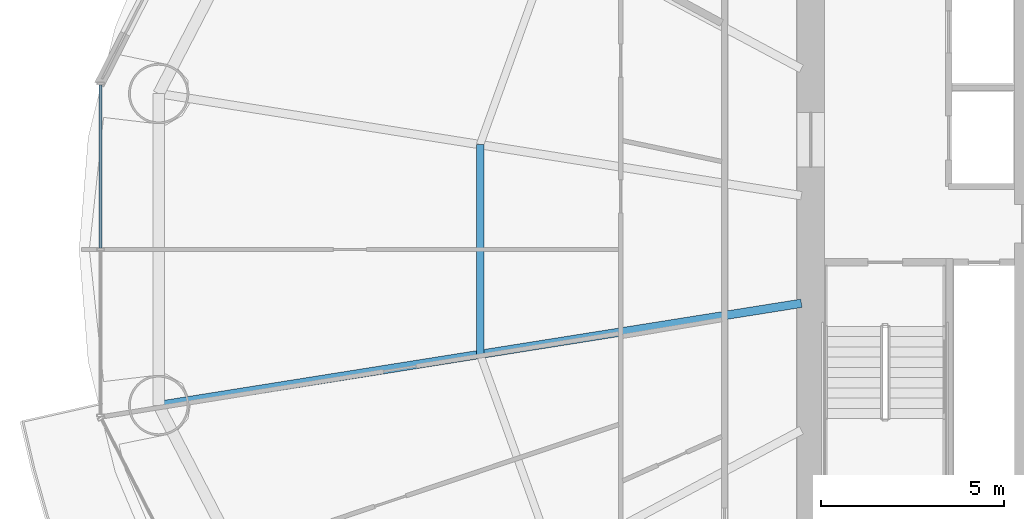
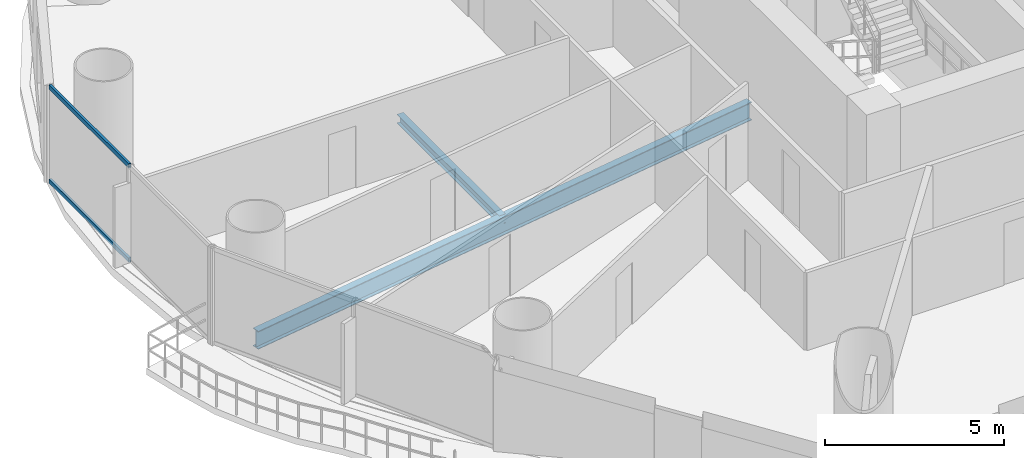
# One storey, part 7 of 29: 2 beams, 2 members, 1 element without a shape of its own.
"""IFC4 building model written with IfcOpenShell, lengths in metres."""

from ifc_helpers import new_model, si_unit, direction, frame, origin, origin_2d, place, context, subcontext, project, spatial, hollow_rectangle, i_section, extrude, source, transform, mapped, material, material_profile, profile_set, type_object, element, aggregate, save


model = new_model("IFC4")

# Units and contexts
model_context = context("Model", 3, precision=1e-05, world=origin(), true_north=direction((-0.2419218956, 0.970295726276)))
body_context = subcontext(model_context, "Body", "Model", "MODEL_VIEW")
ifc_project = project(units=[si_unit("LENGTHUNIT", "METRE"), si_unit("AREAUNIT", "SQUARE_METRE"), si_unit("VOLUMEUNIT", "CUBIC_METRE"), si_unit("PLANEANGLEUNIT", "RADIAN"), si_unit("MASSUNIT", "GRAM", prefix="KILO")], contexts=[model_context])

# Site, building, storey
site_placement = place(None, origin())
site = spatial("IfcSite", under=ifc_project, at=site_placement, CompositionType="ELEMENT")
building_placement = place(site_placement, origin())
building = spatial("IfcBuilding", under=site, at=building_placement, Name="Cobrevalo Terracotta Tower", CompositionType="ELEMENT")
storey_placement = place(building_placement, frame((0.0, 0.0, 45.60009765625)))
storey = spatial("IfcBuildingStorey", under=building, at=storey_placement, Name="L11", CompositionType="ELEMENT", Elevation=45.60009765625)

# Beams
ifc_material_1 = material(Name="Steel S355", Category="steel")
ifc_material_profile_1 = material_profile(ifc_material_1, i_section(OverallWidth=0.22998046875, OverallDepth=0.616943359375, WebThickness=0.01318359375, FlangeThickness=0.022216796875, at=origin_2d()), Name="W 610x140")
ifc_profile_set_1 = profile_set([ifc_material_profile_1], Name="Steel S355")
beam_type_1 = type_object("IfcBeamType", Name="Structural Beam W 610x140 (Steel S355)", PredefinedType="BEAM", material=ifc_profile_set_1)
beam_1_placement = place(storey_placement, frame((11.175537109375, 22.537353515625, -0.588623046875), z_axis=(0.987607924622, 0.156941349628, 0.0), x_axis=(-0.156941349628, 0.987607924622, 0.0)))
element("IfcBeam", 1, at=beam_1_placement, inside=storey, type_object=beam_type_1, Name="L11 radial floor girder 09", PredefinedType="BEAM", context=body_context, shape_type="SweptSolid", body=[
    extrude(i_section(OverallWidth=0.22998046875, OverallDepth=0.616943359375, WebThickness=0.01318359375, FlangeThickness=0.022216796875, at=origin_2d()), origin(), (0.0, 0.0, 1.0), 17.7900390625),
])
ifc_material_profile_2 = material_profile(ifc_material_1, i_section(OverallWidth=0.2041015625, OverallDepth=0.305908203125, WebThickness=0.008544921875, FlangeThickness=0.0146484375, at=origin_2d()), Name="W 310x67")
ifc_profile_set_2 = profile_set([ifc_material_profile_2], Name="Steel S355")
beam_type_2 = type_object("IfcBeamType", Name="Structural Joist W 310x67 (Steel S355)", PredefinedType="JOIST", material=ifc_profile_set_2)
beam_2_placement = place(storey_placement, frame((19.960205078125, 29.666748046875, -0.43310546875), z_axis=(0.0, -1.0, 0.0), x_axis=(1.0, 0.0, 0.0)))
element("IfcBeam", 2, at=beam_2_placement, inside=storey, type_object=beam_type_2, Name="L11 circumferential secondary floor joist 08", PredefinedType="JOIST", context=body_context, shape_type="SweptSolid", body=[
    extrude(i_section(OverallWidth=0.2041015625, OverallDepth=0.305908203125, WebThickness=0.008544921875, FlangeThickness=0.0146484375, at=origin_2d()), origin(), (0.0, 0.0, 1.0), 5.7333984375),
])

# Curtain wall, members
ifc_material_2 = material(Name="Anodized aluminium", Category="aluminium")
curtain_wall_type = type_object("IfcCurtainWallType", Name="Lower-tower unitised acoustic low-E curtain wall CW-U1", PredefinedType="NOTDEFINED", material=ifc_material_2)
curtain_wall_placement = place(storey_placement, origin())
curtain_wall = element("IfcCurtainWall", 3, at=curtain_wall_placement, inside=storey, type_object=curtain_wall_type, Name="L11 curtain wall CW-L11-S08", PredefinedType="NOTDEFINED")
ifc_material_profile_3 = material_profile(ifc_material_2, hollow_rectangle(XDim=0.074951171875, YDim=0.14990234375, WallThickness=0.00439453125, at=origin_2d()), Name="CWT 75x150")
ifc_profile_set_3 = profile_set([ifc_material_profile_3], Name="Anodized aluminium")
member_type = type_object("IfcMemberType", Name="Tower unitised aluminium transom 75x150", PredefinedType="USERDEFINED", material=ifc_profile_set_3)
shared_shape = source(origin(), body_context, "Body", "SweptSolid", [
    extrude(hollow_rectangle(XDim=0.074951171875, YDim=0.14990234375, WallThickness=0.00439453125, at=origin_2d()), origin(), (0.0, 0.0, 1.0), 4.458740234375),
])
member_1_placement = place(storey_placement, frame((9.586669921875, 31.298828125, 0.0498046875), z_axis=(0.0, -1.0, 0.0), x_axis=(1.0, 0.0, 0.0)))
member_1 = element("IfcMember", 4, at=member_1_placement, type_object=member_type, Name="CW-L11-S08 transom B01-T1", ObjectType="TRANSOM", PredefinedType="USERDEFINED", context=body_context, shape_type="MappedRepresentation", body=[
    mapped(shared_shape, transform((0.0, 0.0, 0.0), scale=1.0)),
])
member_2_placement = place(storey_placement, frame((9.586669921875, 31.298828125, 3.27001953125), z_axis=(0.0, -1.0, 0.0), x_axis=(1.0, 0.0, 0.0)))
member_2 = element("IfcMember", 5, at=member_2_placement, type_object=member_type, Name="CW-L11-S08 transom B01-T2", ObjectType="TRANSOM", PredefinedType="USERDEFINED", context=body_context, shape_type="MappedRepresentation", body=[
    mapped(shared_shape, transform((0.0, 0.0, 0.0), scale=1.0)),
])
aggregate(curtain_wall, [member_1, member_2])

save(model, "model.ifc")
